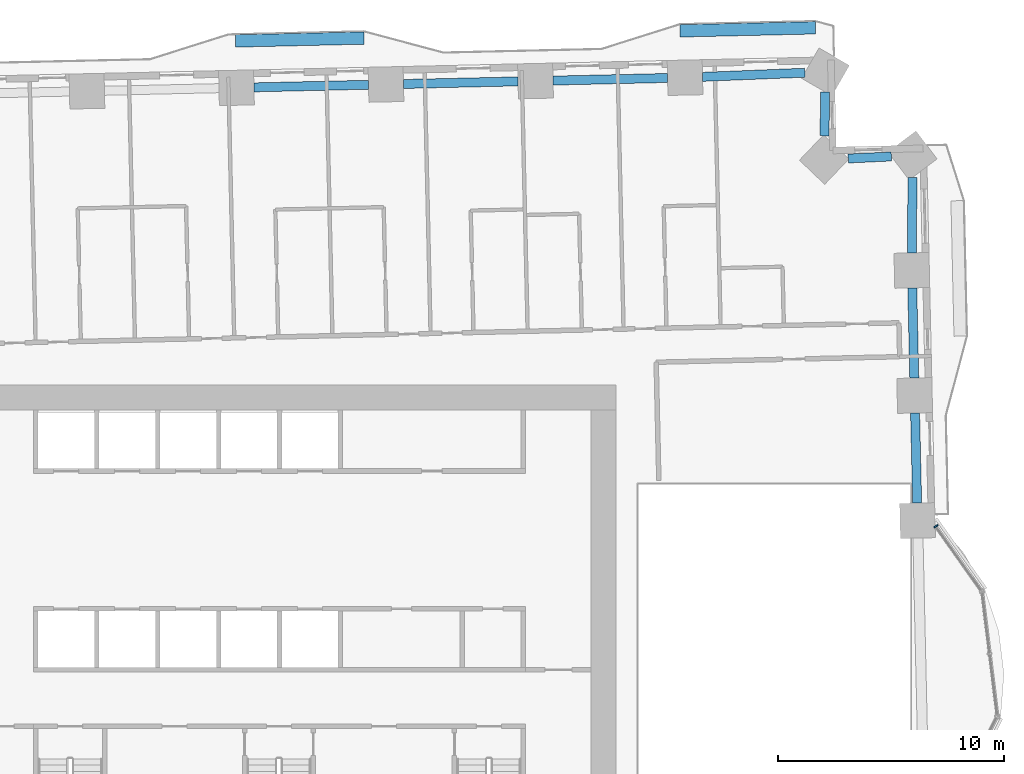
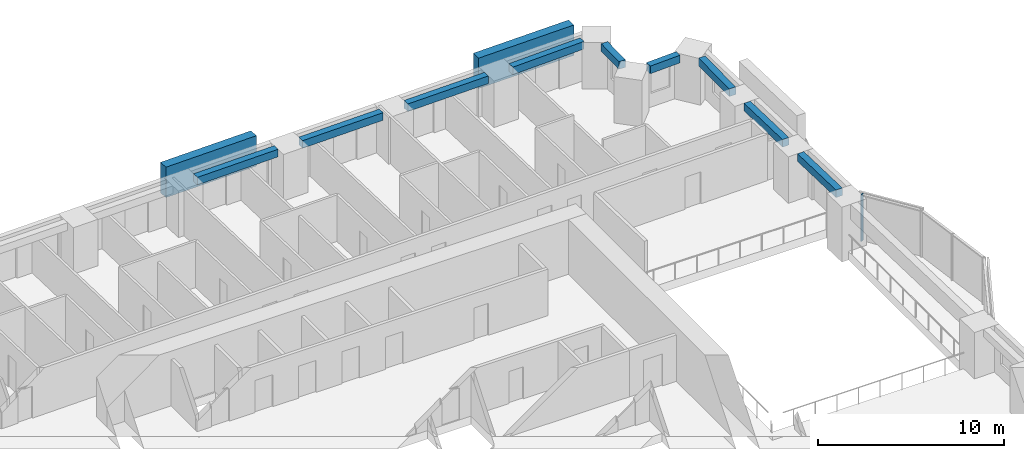
# One storey, part 2 of 16: 9 beams, 3 members, 1 element without a shape of its own.
"""IFC4 building model written with IfcOpenShell, lengths in metres."""

from ifc_helpers import new_model, si_unit, direction, frame, origin, origin_2d, place, context, subcontext, project, spatial, rectangle, extrude, material, material_profile, profile_set, type_object, element, aggregate, save


model = new_model("IFC4")

# Units and contexts
model_context = context("Model", 3, precision=1e-05, world=origin(), true_north=direction((0.0, 1.0)))
body_context = subcontext(model_context, "Body", "Model", "MODEL_VIEW")
ifc_project = project(units=[si_unit("LENGTHUNIT", "METRE"), si_unit("AREAUNIT", "SQUARE_METRE"), si_unit("VOLUMEUNIT", "CUBIC_METRE"), si_unit("PLANEANGLEUNIT", "RADIAN"), si_unit("MASSUNIT", "GRAM", prefix="KILO")], contexts=[model_context])

# Site, building, storey
site_placement = place(None, origin())
site = spatial("IfcSite", under=ifc_project, at=site_placement, CompositionType="ELEMENT")
building_placement = place(site_placement, origin())
building = spatial("IfcBuilding", under=site, at=building_placement, Name="Mangrove Gate Tower", CompositionType="ELEMENT")
storey_placement = place(building_placement, frame((0.0, 0.0, 41.300048828125)))
storey = spatial("IfcBuildingStorey", under=building, at=storey_placement, Name="L09", CompositionType="ELEMENT", Elevation=41.300048828125)

# Curtain wall, member
ifc_material_1 = material(Name="Aluminium and glass curtain wall", Category="aluminium")
curtain_wall_type = type_object("IfcCurtainWallType", Name="Atrium garden-court glazing wall", PredefinedType="NOTDEFINED", material=ifc_material_1)
curtain_wall_placement = place(storey_placement, origin())
curtain_wall = element("IfcCurtainWall", 1, at=curtain_wall_placement, inside=storey, type_object=curtain_wall_type, Name="Atrium garden-court glazing E1f3", PredefinedType="NOTDEFINED")
ifc_material_2 = material(Name="Aluminium alloy 6063-T6", Category="aluminium")
ifc_material_profile_1 = material_profile(ifc_material_2, rectangle(XDim=0.070068359375, YDim=0.199951171875, at=origin_2d()))
ifc_profile_set_1 = profile_set([ifc_material_profile_1], Name="Aluminium alloy 6063-T6")
member_type_1 = type_object("IfcMemberType", Name="Atrium garden-court glazing mullion 70x200", PredefinedType="MULLION", material=ifc_profile_set_1)
member_1_placement = place(storey_placement, frame((29.07177734375, 5.64892578125, 0.0), z_axis=(0.0, 0.0, 1.0), x_axis=(-0.578122631637, 0.815949889877, 0.0)))
member_1 = element("IfcMember", 2, at=member_1_placement, type_object=member_type_1, Name="CWA mullion 2", PredefinedType="MULLION", context=body_context, shape_type="SweptSolid", body=[
    extrude(rectangle(XDim=0.070068359375, YDim=0.199951171875, at=origin_2d()), origin(), (0.0, 0.0, 1.0), 3.050048828125),
])
aggregate(curtain_wall, [member_1])

# Members
ifc_material_3 = material(Name="Planting on aluminium trellis", Category="aluminium")
ifc_material_profile_2 = material_profile(ifc_material_3, rectangle(XDim=0.550048828125, YDim=2.0, at=origin_2d()))
ifc_profile_set_2 = profile_set([ifc_material_profile_2], Name="Planting on aluminium trellis")
member_type_2 = type_object("IfcMemberType", Name="Balcony greenery screen 550x2000", PredefinedType="USERDEFINED", material=ifc_profile_set_2)
member_2_placement = place(storey_placement, frame((-1.952880859375, 27.14892578125, 1.800048828125), z_axis=(0.999743226877, 0.02266010399, 0.0), x_axis=(-0.02266010399, 0.999743226877, 0.0)))
element("IfcMember", 3, at=member_2_placement, inside=storey, type_object=member_type_2, Name="GREEN SCREEN L09 N0.1", ObjectType="PLANTING", PredefinedType="USERDEFINED", context=body_context, shape_type="SweptSolid", body=[
    extrude(rectangle(XDim=0.550048828125, YDim=2.0, at=origin_2d()), origin(), (0.0, 0.0, 1.0), 5.699462890625),
])
member_3_placement = place(storey_placement, frame((17.741943359375, 27.595947265625, 1.800048828125), z_axis=(0.999743094499, 0.022665943652, 0.0), x_axis=(-0.022665943652, 0.999743094499, 0.0)))
element("IfcMember", 4, at=member_3_placement, inside=storey, type_object=member_type_2, Name="GREEN SCREEN L09 N0.2", ObjectType="PLANTING", PredefinedType="USERDEFINED", context=body_context, shape_type="SweptSolid", body=[
    extrude(rectangle(XDim=0.550048828125, YDim=2.0, at=origin_2d()), origin(), (0.0, 0.0, 1.0), 5.99951171875),
])

# Beams
ifc_material_4 = material(Name="Concrete C50/60", Category="concrete")
ifc_material_profile_3 = material_profile(ifc_material_4, rectangle(XDim=0.39990234375, YDim=0.5, at=origin_2d()))
ifc_profile_set_3 = profile_set([ifc_material_profile_3], Name="Concrete C50/60")
beam_type = type_object("IfcBeamType", Name="Edge beam RC 400x500 C50/60", PredefinedType="BEAM", material=ifc_profile_set_3)
beam_1_placement = place(storey_placement, frame((28.24365234375, 6.67919921875, 2.800048828125), z_axis=(-0.022753361423, 0.99974110876, 0.0), x_axis=(-0.99974110876, -0.022753361423, 0.0)))
element("IfcBeam", 5, at=beam_1_placement, inside=storey, type_object=beam_type, Name="Edge beam L09 18", PredefinedType="BEAM", context=body_context, shape_type="SweptSolid", body=[
    extrude(rectangle(XDim=0.39990234375, YDim=0.5, at=origin_2d()), origin(), (0.0, 0.0, 1.0), 3.991455078125),
])
beam_2_placement = place(storey_placement, frame((28.11767578125, 12.21923828125, 2.800048828125), z_axis=(-0.022564441197, 0.999745390584, 0.0), x_axis=(-0.999745390584, -0.022564441197, 0.0)))
element("IfcBeam", 6, at=beam_2_placement, inside=storey, type_object=beam_type, Name="Edge beam L09 19", PredefinedType="BEAM", context=body_context, shape_type="SweptSolid", body=[
    extrude(rectangle(XDim=0.39990234375, YDim=0.5, at=origin_2d()), origin(), (0.0, 0.0, 1.0), 3.992431640625),
])
beam_3_placement = place(storey_placement, frame((28.014892578125, 17.7607421875, 2.800048828125), z_axis=(0.006070689773, 0.999981573193, 0.0), x_axis=(-0.999981573193, 0.006070689773, 0.0)))
element("IfcBeam", 7, at=beam_3_placement, inside=storey, type_object=beam_type, Name="Edge beam L09 20", PredefinedType="BEAM", context=body_context, shape_type="SweptSolid", body=[
    extrude(rectangle(XDim=0.39990234375, YDim=0.5, at=origin_2d()), origin(), (0.0, 0.0, 1.0), 3.337890625),
])
beam_4_placement = place(storey_placement, frame((27.102294921875, 22.03125, 2.800048828125), z_axis=(-0.99890541483, -0.046775765331, 0.0), x_axis=(0.046775765331, -0.99890541483, 0.0)))
element("IfcBeam", 8, at=beam_4_placement, inside=storey, type_object=beam_type, Name="Edge beam L09 21", PredefinedType="BEAM", context=body_context, shape_type="SweptSolid", body=[
    extrude(rectangle(XDim=0.39990234375, YDim=0.5, at=origin_2d()), origin(), (0.0, 0.0, 1.0), 1.910400390625),
])
beam_5_placement = place(storey_placement, frame((24.140625, 22.9482421875, 2.800048828125), z_axis=(0.015187803628, 0.999884658659, 0.0), x_axis=(-0.999884658659, 0.015187803628, 0.0)))
element("IfcBeam", 9, at=beam_5_placement, inside=storey, type_object=beam_type, Name="Edge beam L09 22", PredefinedType="BEAM", context=body_context, shape_type="SweptSolid", body=[
    extrude(rectangle(XDim=0.39990234375, YDim=0.5, at=origin_2d()), origin(), (0.0, 0.0, 1.0), 1.945068359375),
])
beam_6_placement = place(storey_placement, frame((23.26904296875, 25.741455078125, 2.800048828125), z_axis=(-0.99917791823, -0.040539952176, 0.0), x_axis=(0.040539952176, -0.99917791823, 0.0)))
element("IfcBeam", 10, at=beam_6_placement, inside=storey, type_object=beam_type, Name="Edge beam L09 23", PredefinedType="BEAM", context=body_context, shape_type="SweptSolid", body=[
    extrude(rectangle(XDim=0.39990234375, YDim=0.5, at=origin_2d()), origin(), (0.0, 0.0, 1.0), 4.53466796875),
])
beam_7_placement = place(storey_placement, frame((17.188720703125, 25.508544921875, 2.800048828125), z_axis=(-0.999739944427, -0.02280446264, 0.0), x_axis=(0.02280446264, -0.999739944427, 0.0)))
element("IfcBeam", 11, at=beam_7_placement, inside=storey, type_object=beam_type, Name="Edge beam L09 24", PredefinedType="BEAM", context=body_context, shape_type="SweptSolid", body=[
    extrude(rectangle(XDim=0.39990234375, YDim=0.5, at=origin_2d()), origin(), (0.0, 0.0, 1.0), 5.074462890625),
])
beam_8_placement = place(storey_placement, frame((10.56591796875, 25.357666015625, 2.800048828125), z_axis=(-0.999743348065, -0.022654756648, 0.0), x_axis=(0.022654756648, -0.999743348065, 0.0)))
element("IfcBeam", 12, at=beam_8_placement, inside=storey, type_object=beam_type, Name="Edge beam L09 25", PredefinedType="BEAM", context=body_context, shape_type="SweptSolid", body=[
    extrude(rectangle(XDim=0.39990234375, YDim=0.5, at=origin_2d()), origin(), (0.0, 0.0, 1.0), 5.07568359375),
])
beam_9_placement = place(storey_placement, frame((3.941650390625, 25.207763671875, 2.800048828125), z_axis=(-0.999743224589, -0.022660204946, 0.0), x_axis=(0.022660204946, -0.999743224589, 0.0)))
element("IfcBeam", 13, at=beam_9_placement, inside=storey, type_object=beam_type, Name="Edge beam L09 26", PredefinedType="BEAM", context=body_context, shape_type="SweptSolid", body=[
    extrude(rectangle(XDim=0.39990234375, YDim=0.5, at=origin_2d()), origin(), (0.0, 0.0, 1.0), 5.074462890625),
])

save(model, "model.ifc")
